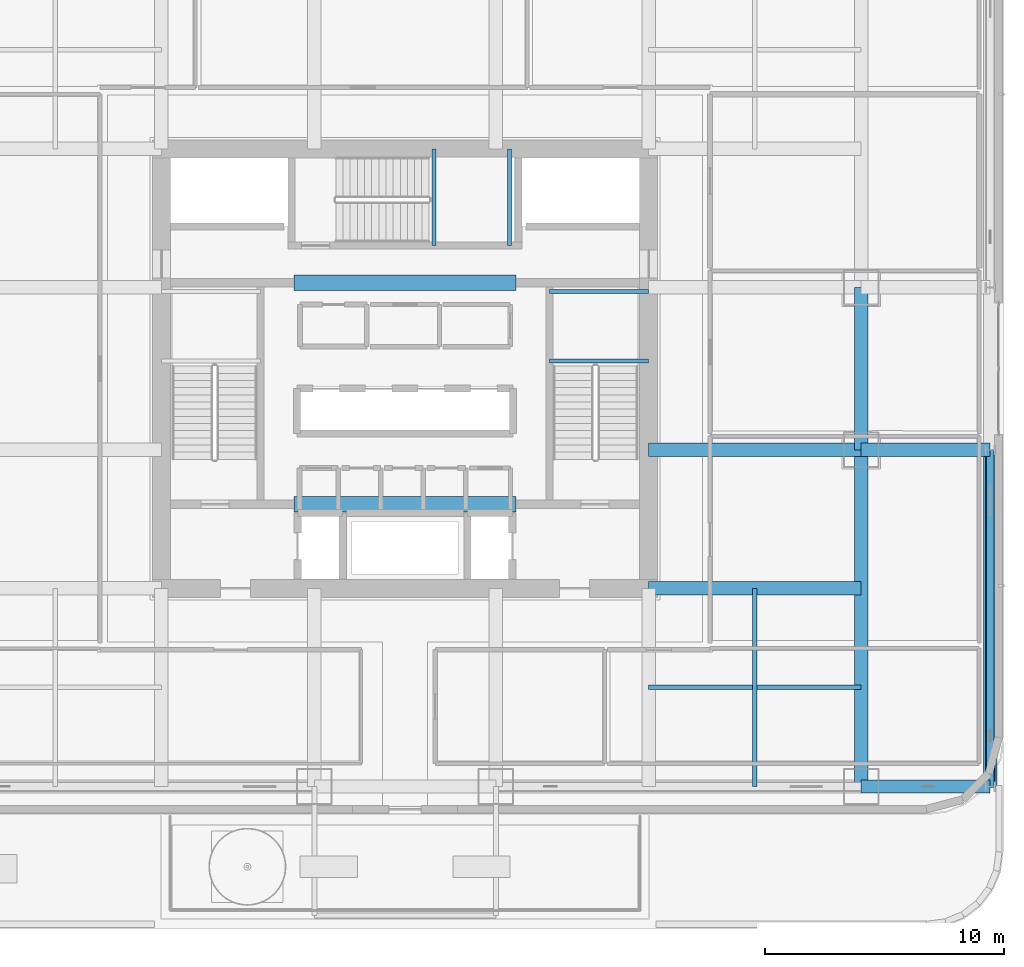
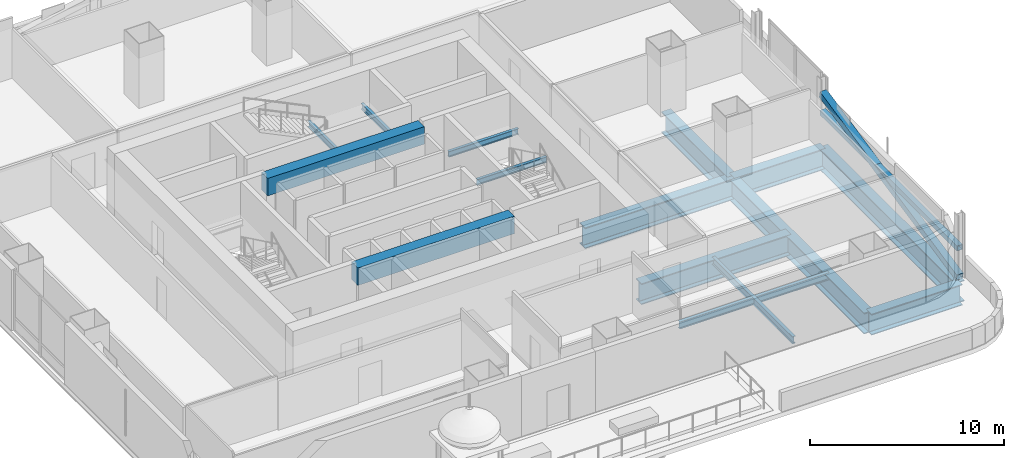
# One storey, part 3 of 28: 15 beams, 2 members.
"""IFC4 building model written with IfcOpenShell, lengths in metres."""

from ifc_helpers import new_model, si_unit, direction, frame, origin, origin_2d, place, context, subcontext, project, spatial, rectangle, hollow_rectangle, i_section, extrude, material, material_profile, profile_set, type_object, element, save


model = new_model("IFC4")

# Units and contexts
model_context = context("Model", 3, precision=1e-05, world=origin(), true_north=direction((0.0, 1.0)))
body_context = subcontext(model_context, "Body", "Model", "MODEL_VIEW")
ifc_project = project(units=[si_unit("LENGTHUNIT", "METRE"), si_unit("AREAUNIT", "SQUARE_METRE"), si_unit("VOLUMEUNIT", "CUBIC_METRE"), si_unit("PLANEANGLEUNIT", "RADIAN"), si_unit("MASSUNIT", "GRAM", prefix="KILO")], contexts=[model_context])

# Site, building, storey
site_placement = place(None, origin())
site = spatial("IfcSite", under=ifc_project, at=site_placement, CompositionType="ELEMENT")
building_placement = place(site_placement, origin())
building = spatial("IfcBuilding", under=site, at=building_placement, Name="Punatoya Terracotta Tower", CompositionType="ELEMENT")
storey_placement = place(building_placement, frame((0.0, 0.0, 93.0)))
storey = spatial("IfcBuildingStorey", under=building, at=storey_placement, Name="L21", CompositionType="ELEMENT", Elevation=93.0)

# Beams
ifc_material_1 = material(Name="Concrete C60/75", Category="concrete")
ifc_material_profile_1 = material_profile(ifc_material_1, rectangle(XDim=0.64990234375, YDim=1.10009765625, at=origin_2d()))
ifc_profile_set_1 = profile_set([ifc_material_profile_1], Name="Concrete C60/75")
beam_type_1 = type_object("IfcBeamType", Name="BM-RC-1100", PredefinedType="LINTEL", material=ifc_profile_set_1)
for number, where, z_axis, x_axis, name in (
    (1, (-4.64990234375, -5.679931640625, 3.260009765625), (1.0, 0.0, 0.0), (0.0, 1.0, 0.0), "L21 Core Coupling Lintel CSW"),
    (2, (-4.64990234375, 3.60009765625, 3.260009765625), (1.0, 0.0, 0.0), (0.0, 1.0, 0.0), "L21 Core Coupling Lintel CNW"),
):
    element("IfcBeam", number, at=place(storey_placement, frame(where, z_axis=z_axis, x_axis=x_axis)), inside=storey, type_object=beam_type_1, Name=name, PredefinedType="LINTEL", context=body_context, shape_type="SweptSolid", body=[
        extrude(rectangle(XDim=0.64990234375, YDim=1.10009765625, at=origin_2d()), origin(), (0.0, 0.0, 1.0), 9.2998046875),
    ])
ifc_material_2 = material(Name="Steel S355", Category="steel")
ifc_material_profile_2 = material_profile(ifc_material_2, i_section(OverallWidth=0.169921875, OverallDepth=0.360107421875, WebThickness=0.008056640625, FlangeThickness=0.0126953125, FilletRadius=0.01806640625, at=origin_2d()))
ifc_profile_set_2 = profile_set([ifc_material_profile_2], Name="Steel S355")
beam_type_2 = type_object("IfcBeamType", Name="BM-SEC-360", PredefinedType="JOIST", material=ifc_profile_set_2)
for number, where, z_axis, x_axis, name in (
    (3, (6.050048828125, 0.320068359375, 1.64501953125), (1.0, 0.0, 0.0), (0.0, 1.0, 0.0), "BM-L21-ST-2-LD1A"),
    (4, (6.050048828125, 3.22998046875, 1.64501953125), (1.0, 0.0, 0.0), (0.0, 1.0, 0.0), "BM-L21-ST-2-LD1B"),
):
    element("IfcBeam", number, at=place(storey_placement, frame(where, z_axis=z_axis, x_axis=x_axis)), inside=storey, type_object=beam_type_2, Name=name, PredefinedType="JOIST", context=body_context, shape_type="SweptSolid", body=[
        extrude(i_section(OverallWidth=0.169921875, OverallDepth=0.360107421875, WebThickness=0.008056640625, FlangeThickness=0.0126953125, FilletRadius=0.01806640625, at=origin_2d()), origin(), (0.0, 0.0, 1.0), 4.14990234375),
    ])
for number, where, z_axis, x_axis, name in (
    (5, (1.219970703125, 5.14990234375, 1.64501953125), (0.0, 1.0, 0.0), (-1.0, 0.0, 0.0), "BM-L21-ST-3-LD1A"),
    (6, (4.3798828125, 5.14990234375, 1.64501953125), (0.0, 1.0, 0.0), (-1.0, 0.0, 0.0), "BM-L21-ST-3-LD1B"),
):
    element("IfcBeam", number, at=place(storey_placement, frame(where, z_axis=z_axis, x_axis=x_axis)), inside=storey, type_object=beam_type_2, Name=name, PredefinedType="JOIST", context=body_context, shape_type="SweptSolid", body=[
        extrude(i_section(OverallWidth=0.169921875, OverallDepth=0.360107421875, WebThickness=0.008056640625, FlangeThickness=0.0126953125, FilletRadius=0.01806640625, at=origin_2d()), origin(), (0.0, 0.0, 1.0), 4.050048828125),
    ])
ifc_material_profile_3 = material_profile(ifc_material_2, i_section(OverallWidth=0.18994140625, OverallDepth=0.449951171875, WebThickness=0.009521484375, FlangeThickness=0.0146484375, FilletRadius=0.01806640625, at=origin_2d()))
ifc_profile_set_3 = profile_set([ifc_material_profile_3], Name="Steel S355")
beam_type_3 = type_object("IfcBeamType", Name="BM-SEC-450", PredefinedType="JOIST", material=ifc_profile_set_3)
beam_1_placement = place(storey_placement, frame((10.199951171875, -13.35009765625, -0.5048828125), z_axis=(1.0, 0.0, 0.0), x_axis=(0.0, 1.0, 0.0)))
element("IfcBeam", 7, at=beam_1_placement, inside=storey, type_object=beam_type_3, Name="BM-L21-SJS-2", PredefinedType="JOIST", context=body_context, shape_type="SweptSolid", body=[
    extrude(i_section(OverallWidth=0.18994140625, OverallDepth=0.449951171875, WebThickness=0.009521484375, FlangeThickness=0.0146484375, FilletRadius=0.01806640625, at=origin_2d()), origin(), (0.0, 0.0, 1.0), 8.900146484375),
])
beam_2_placement = place(storey_placement, frame((14.64990234375, -17.5, -0.5048828125), z_axis=(0.0, 1.0, 0.0), x_axis=(-1.0, 0.0, 0.0)))
element("IfcBeam", 8, at=beam_2_placement, inside=storey, type_object=beam_type_3, Name="BM-L21-SJE-1", PredefinedType="JOIST", context=body_context, shape_type="SweptSolid", body=[
    extrude(i_section(OverallWidth=0.18994140625, OverallDepth=0.449951171875, WebThickness=0.009521484375, FlangeThickness=0.0146484375, FilletRadius=0.01806640625, at=origin_2d()), origin(), (0.0, 0.0, 1.0), 8.300048828125),
])
ifc_material_3 = material(Name="Steel S460", Category="steel")
ifc_material_profile_4 = material_profile(ifc_material_3, i_section(OverallWidth=0.56005859375, OverallDepth=1.320068359375, WebThickness=0.035888671875, FlangeThickness=0.054931640625, FilletRadius=0.01806640625, at=origin_2d()))
ifc_profile_set_4 = profile_set([ifc_material_profile_4], Name="Steel S460")
beam_type_4 = type_object("IfcBeamType", Name="BM-TG-BLK", PredefinedType="BEAM", material=ifc_profile_set_4)
beam_3_placement = place(storey_placement, frame((19.10009765625, -17.5, -0.93994140625), z_axis=(0.0, 1.0, 0.0), x_axis=(-1.0, 0.0, 0.0)))
element("IfcBeam", 9, at=beam_3_placement, inside=storey, type_object=beam_type_4, Name="BM-L21-RG-E1", PredefinedType="BEAM", context=body_context, shape_type="SweptSolid", body=[
    extrude(i_section(OverallWidth=0.56005859375, OverallDepth=1.320068359375, WebThickness=0.035888671875, FlangeThickness=0.054931640625, FilletRadius=0.01806640625, at=origin_2d()), origin(), (0.0, 0.0, 1.0), 14.10009765625),
])
beam_4_placement = place(storey_placement, frame((19.10009765625, -3.39990234375, -0.93994140625), z_axis=(0.0, 1.0, 0.0), x_axis=(-1.0, 0.0, 0.0)))
element("IfcBeam", 10, at=beam_4_placement, inside=storey, type_object=beam_type_4, Name="BM-L21-RG-E2", PredefinedType="BEAM", context=body_context, shape_type="SweptSolid", body=[
    extrude(i_section(OverallWidth=0.56005859375, OverallDepth=1.320068359375, WebThickness=0.035888671875, FlangeThickness=0.054931640625, FilletRadius=0.01806640625, at=origin_2d()), origin(), (0.0, 0.0, 1.0), 6.7998046875),
])
for number, where, z_axis, x_axis, name in (
    (11, (10.199951171875, -9.199951171875, -0.93994140625), (1.0, 0.0, 0.0), (0.0, 1.0, 0.0), "BM-L21-PR-ES"),
    (12, (10.199951171875, -3.39990234375, -0.93994140625), (1.0, 0.0, 0.0), (0.0, 1.0, 0.0), "BM-L21-PR-ED"),
):
    element("IfcBeam", number, at=place(storey_placement, frame(where, z_axis=z_axis, x_axis=x_axis)), inside=storey, type_object=beam_type_4, Name=name, PredefinedType="BEAM", context=body_context, shape_type="SweptSolid", body=[
        extrude(i_section(OverallWidth=0.56005859375, OverallDepth=1.320068359375, WebThickness=0.035888671875, FlangeThickness=0.054931640625, FilletRadius=0.01806640625, at=origin_2d()), origin(), (0.0, 0.0, 1.0), 8.900146484375),
    ])
for number, where, z_axis, x_axis, name in (
    (13, (19.10009765625, -17.5, -0.93994140625), (1.0, 0.0, 0.0), (0.0, 1.0, 0.0), "BM-L21-CANT-E1"),
    (14, (19.10009765625, -3.39990234375, -0.93994140625), (1.0, 0.0, 0.0), (0.0, 1.0, 0.0), "BM-L21-CANT-E2"),
):
    element("IfcBeam", number, at=place(storey_placement, frame(where, z_axis=z_axis, x_axis=x_axis)), inside=storey, type_object=beam_type_4, Name=name, PredefinedType="BEAM", context=body_context, shape_type="SweptSolid", body=[
        extrude(i_section(OverallWidth=0.56005859375, OverallDepth=1.320068359375, WebThickness=0.035888671875, FlangeThickness=0.054931640625, FilletRadius=0.01806640625, at=origin_2d()), origin(), (0.0, 0.0, 1.0), 5.39990234375),
    ])
beam_5_placement = place(storey_placement, frame((24.5, -17.5, -0.93994140625), z_axis=(0.0, 1.0, 0.0), x_axis=(-1.0, 0.0, 0.0)))
element("IfcBeam", 15, at=beam_5_placement, inside=storey, type_object=beam_type_4, Name="BM-L21-PER-E1", PredefinedType="BEAM", context=body_context, shape_type="SweptSolid", body=[
    extrude(i_section(OverallWidth=0.56005859375, OverallDepth=1.320068359375, WebThickness=0.035888671875, FlangeThickness=0.054931640625, FilletRadius=0.01806640625, at=origin_2d()), origin(), (0.0, 0.0, 1.0), 14.10009765625),
])

# Members
ifc_material_profile_5 = material_profile(ifc_material_3, hollow_rectangle(XDim=0.320068359375, YDim=0.320068359375, WallThickness=0.01806640625, at=origin_2d()))
ifc_profile_set_5 = profile_set([ifc_material_profile_5], Name="Steel S460")
member_type_1 = type_object("IfcMemberType", Name="MEM-CHD-320", PredefinedType="CHORD", material=ifc_profile_set_5)
member_1_placement = place(storey_placement, frame((24.5, -17.5, 1.85009765625), z_axis=(0.0, 1.0, 0.0), x_axis=(-1.0, 0.0, 0.0)))
element("IfcMember", 16, at=member_1_placement, inside=storey, type_object=member_type_1, Name="L21 Exoskeleton Belt Truss Tie Chord E1", PredefinedType="CHORD", context=body_context, shape_type="SweptSolid", body=[
    extrude(hollow_rectangle(XDim=0.320068359375, YDim=0.320068359375, WallThickness=0.01806640625, at=origin_2d()), origin(), (0.0, 0.0, 1.0), 14.10009765625),
])
ifc_material_profile_6 = material_profile(ifc_material_3, hollow_rectangle(XDim=0.39990234375, YDim=0.39990234375, WallThickness=0.02197265625, at=origin_2d()))
ifc_profile_set_6 = profile_set([ifc_material_profile_6], Name="Steel S460")
member_type_2 = type_object("IfcMemberType", Name="MEM-EXO-400", PredefinedType="BRACE", material=ifc_profile_set_6)
member_2_placement = place(storey_placement, frame((24.5, -17.5, 0.02001953125), z_axis=(0.0, 0.978247355132, 0.207441828415), x_axis=(-1.0, 0.0, 0.0)))
element("IfcMember", 17, at=member_2_placement, inside=storey, type_object=member_type_2, Name="L21 Exoskeleton Belt Brace E1", PredefinedType="BRACE", context=body_context, shape_type="SweptSolid", body=[
    extrude(hollow_rectangle(XDim=0.39990234375, YDim=0.39990234375, WallThickness=0.02197265625, at=origin_2d()), origin(), (0.0, 0.0, 1.0), 14.41357421875),
])

save(model, "model.ifc")
